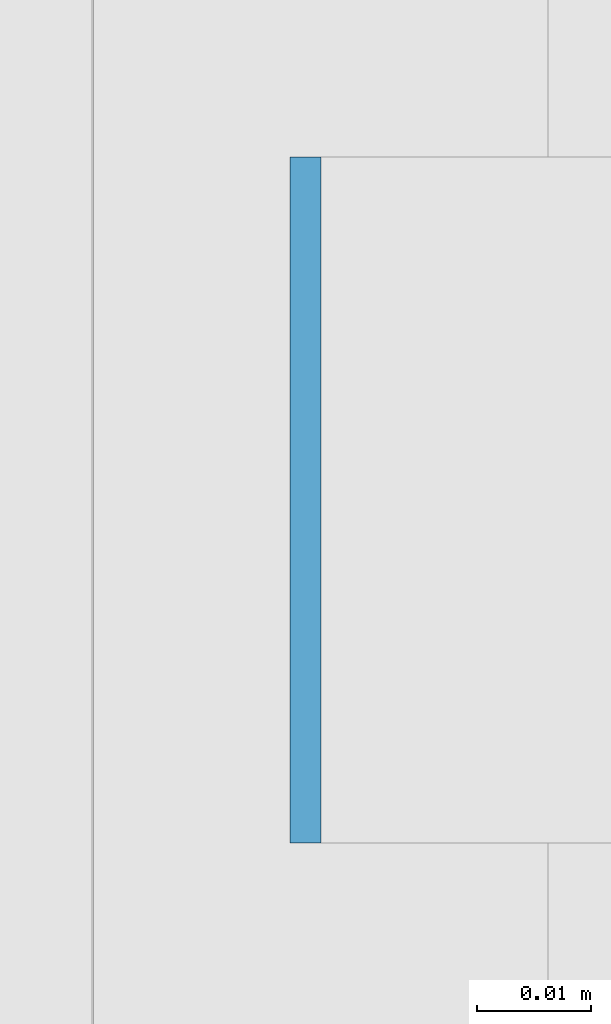
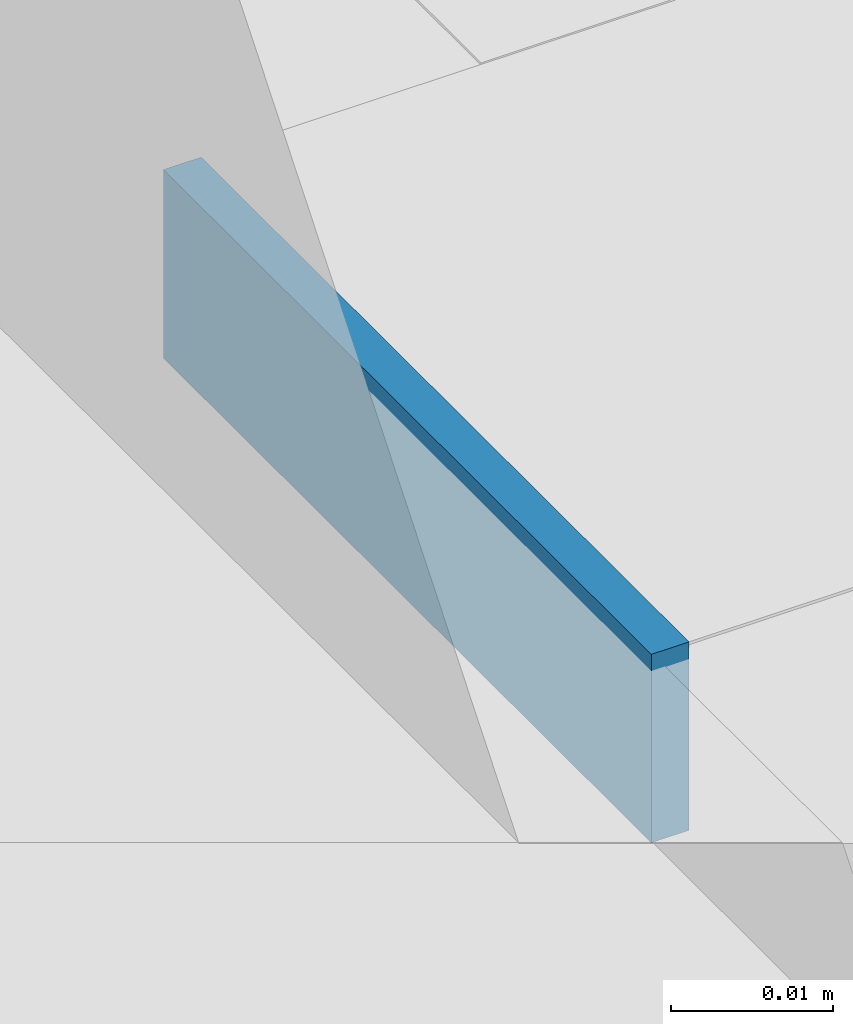
# One storey, part 521 of 646: 1 discrete accessory.
"""IFC4 building model written with IfcOpenShell, lengths in metres."""

from ifc_helpers import new_model, si_unit, direction, frame, origin, origin_2d, place, context, subcontext, project, spatial, rectangle, extrude, material, type_object, element, save


model = new_model("IFC4")

# Units and contexts
model_context = context("Model", 3, precision=1e-05, world=origin(), true_north=direction((0.0, 1.0)))
body_context = subcontext(model_context, "Body", "Model", "MODEL_VIEW")
ifc_project = project(units=[si_unit("LENGTHUNIT", "METRE"), si_unit("AREAUNIT", "SQUARE_METRE"), si_unit("VOLUMEUNIT", "CUBIC_METRE"), si_unit("PLANEANGLEUNIT", "RADIAN"), si_unit("MASSUNIT", "GRAM", prefix="KILO")], contexts=[model_context])

# Site, building, storey
site_placement = place(None, origin())
site = spatial("IfcSite", under=ifc_project, at=site_placement, CompositionType="ELEMENT")
building_placement = place(site_placement, origin())
building = spatial("IfcBuilding", under=site, at=building_placement, Name="Silverbay Arena", CompositionType="ELEMENT")
storey_placement = place(building_placement, frame((0.0, 0.0, 33.5)))
storey = spatial("IfcBuildingStorey", under=building, at=storey_placement, Name="L05", CompositionType="ELEMENT", Elevation=33.5)

# Discrete accessory
ifc_material = material(Name="Steel S355", Category="steel")
discrete_accessory_type = type_object("IfcDiscreteAccessoryType", Name="Steel bracket plate", PredefinedType="BRACKET", material=ifc_material)
discrete_accessory_placement = place(storey_placement, frame((207.128662109375, 79.71435546875, 12.98583984375), z_axis=(0.0, 0.0, 1.0), x_axis=(1.0, 0.0, 0.0)))
element("IfcDiscreteAccessory", 1, at=discrete_accessory_placement, inside=storey, type_object=discrete_accessory_type, Name="Curtain wall packing plate", PredefinedType="BRACKET", context=body_context, shape_type="SweptSolid", body=[
    extrude(rectangle(XDim=0.002685546875, YDim=0.06005859375, at=origin_2d()), origin(), (0.0, 0.0, 1.0), 0.01416015625),
])

save(model, "model.ifc")
